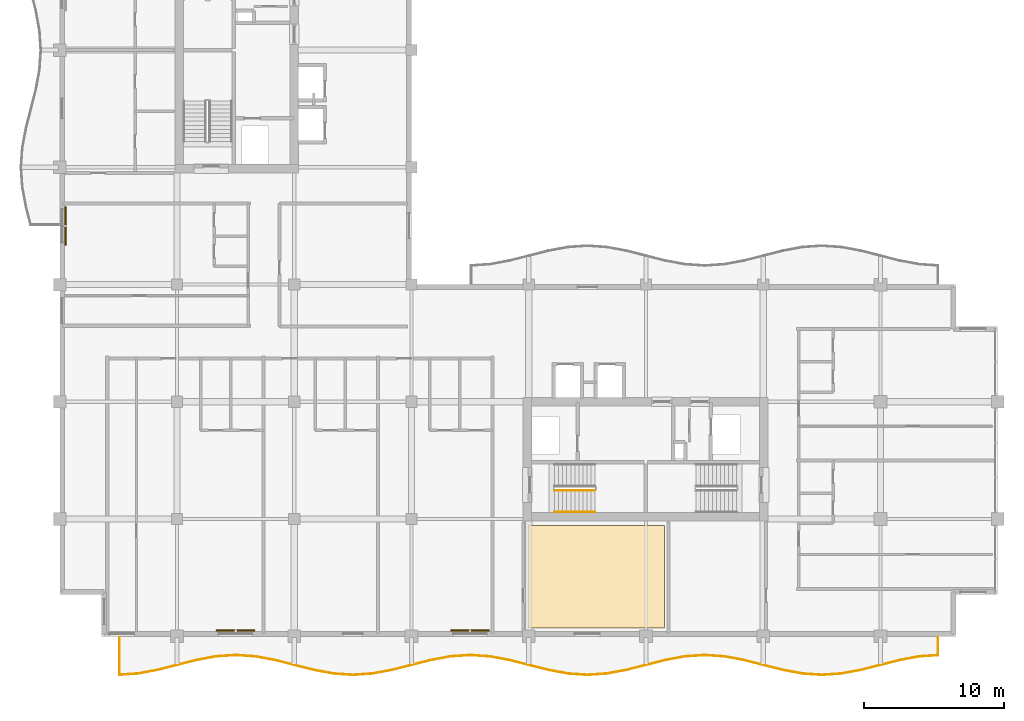
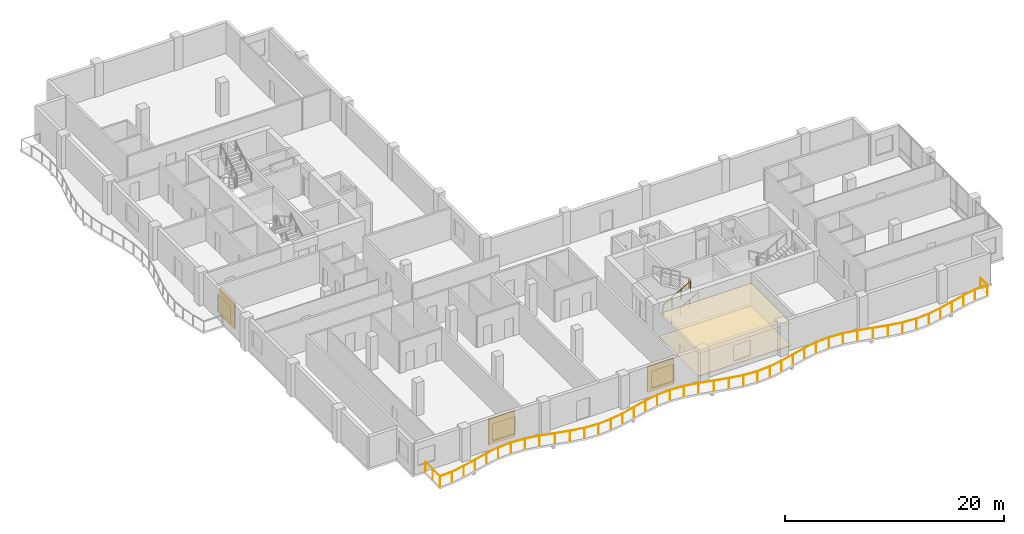
# One storey, part 13 of 16: 3 railings, 3 shading devices, 2 coverings.
"""IFC4 building model written with IfcOpenShell, lengths in metres."""

import ifcopenshell
import ifcopenshell.guid

model = None  # the IFC model being written
_history = None  # IfcOwnerHistory: only IFC2X3 demands one
_inside = {}  # id of a spatial element -> (the spatial element, [elements in it])
_under = {}  # id of a project, library or spatial element -> (it, [spatial elements below it])
_declared = {}  # id of a project -> (the project, [libraries it declares])
_typed = {}  # id of a type object -> (the type object, [elements of that type])
_made_of = {}  # id of a material, layer set ... -> (it, [elements and type objects made of it])


def new_model(schema):
    """Start an empty IFC model of exactly this schema.

    Asked for "IFC4X3", IfcOpenShell would pick the latest addendum, in which some entities
    have other attributes; the version numbers below select the first issue.
    IFC2X3 requires an IfcOwnerHistory on every rooted entity: one is made here for all.
    """
    global model, _history
    if schema == "IFC4X3":
        model = ifcopenshell.file(schema_version=(4, 3, 0, 0))
    else:
        model = ifcopenshell.file(schema=schema)
    _inside.clear()
    _under.clear()
    _declared.clear()
    _typed.clear()
    _made_of.clear()
    _history = None
    if model.schema == "IFC2X3":
        org = make("IfcOrganization", Name="unknown")
        user = make(
            "IfcPersonAndOrganization",
            ThePerson=make("IfcPerson", FamilyName="unknown"),
            TheOrganization=org,
        )
        app = make(
            "IfcApplication",
            ApplicationDeveloper=org,
            Version="unknown",
            ApplicationFullName="unknown",
            ApplicationIdentifier="unknown",
        )
        _history = make(
            "IfcOwnerHistory",
            OwningUser=user,
            OwningApplication=app,
            ChangeAction="ADDED",
            CreationDate=0,
        )
    return model


def make(cls, **values):
    """One entity of the class cls with the attributes given. An attribute that is None is left unset."""
    return model.create_entity(
        cls, **{name: value for name, value in values.items() if value is not None}
    )


def rooted(cls, **values):
    """An entity with a GlobalId (a new one), such as an element, a storey or a relation."""
    return make(cls, GlobalId=ifcopenshell.guid.new(), OwnerHistory=_history, **values)


def si_unit(unit_type, name, prefix=None):
    """IfcSIUnit, for example si_unit("LENGTHUNIT", "METRE", prefix="MILLI")."""
    return make("IfcSIUnit", UnitType=unit_type, Prefix=prefix, Name=name)


def assignment(units):
    """IfcUnitAssignment: the units of a project."""
    return None if units is None else make("IfcUnitAssignment", Units=units)


def point(xyz):
    """IfcCartesianPoint."""
    return None if xyz is None else make("IfcCartesianPoint", Coordinates=xyz)


def direction(xyz):
    """IfcDirection."""
    return None if xyz is None else make("IfcDirection", DirectionRatios=xyz)


def frame(location, z_axis=None, x_axis=None):
    """IfcAxis2Placement3D, a coordinate frame: its origin and axes. An axis left out is left unset."""
    return make(
        "IfcAxis2Placement3D",
        Location=point(location),
        Axis=direction(z_axis),
        RefDirection=direction(x_axis),
    )


def frame_2d(location, x_axis=None):
    """IfcAxis2Placement2D, a coordinate frame in the plane: its origin and x axis."""
    return make(
        "IfcAxis2Placement2D", Location=point(location), RefDirection=direction(x_axis)
    )


def origin():
    """The frame at (0, 0, 0) with its axes left unset."""
    return frame((0.0, 0.0, 0.0))


def origin_2d():
    """The frame at (0, 0) in the plane with its x axis left unset."""
    return frame_2d((0.0, 0.0))


def place(relative_to, where):
    """IfcLocalPlacement: puts the frame where relative to a parent placement (None: the world)."""
    return make(
        "IfcLocalPlacement", PlacementRelTo=relative_to, RelativePlacement=where
    )


def context(
    kind, dimensions, precision=None, world=None, true_north=None, identifier=None
):
    """IfcGeometricRepresentationContext, for example the 3D "Model" context."""
    return make(
        "IfcGeometricRepresentationContext",
        ContextIdentifier=identifier,
        ContextType=kind,
        CoordinateSpaceDimension=dimensions,
        Precision=precision,
        WorldCoordinateSystem=world,
        TrueNorth=true_north,
    )


def subcontext(parent, identifier, kind, view, scale=None):
    """IfcGeometricRepresentationSubContext, for example "Body" below "Model"."""
    return make(
        "IfcGeometricRepresentationSubContext",
        ContextIdentifier=identifier,
        ContextType=kind,
        ParentContext=parent,
        TargetScale=scale,
        TargetView=view,
    )


def project(units=None, contexts=None):
    """IfcProject with its units and contexts."""
    return rooted(
        "IfcProject",
        Name="project",
        RepresentationContexts=contexts,
        UnitsInContext=assignment(units),
    )


def spatial(cls, under=None, at=None, **own):
    """A site, building, storey or space (cls), placed at a placement, below another one or the project."""
    s = rooted(cls, ObjectPlacement=at, **own)
    if under is not None:
        _under.setdefault(under.id(), (under, []))[1].append(s)
    return s


def polyline(points):
    """IfcPolyline through the points."""
    return make("IfcPolyline", Points=[point(p) for p in points])


def profile(cls, at=None, kind="AREA", **sizes):
    """A parametric profile (cls). Its sizes go by their IFC names, for example OverallWidth=200.0."""
    return make(cls, ProfileType=kind, Position=at, **sizes)


def rectangle(**sizes):
    """IfcRectangleProfileDef."""
    return profile("IfcRectangleProfileDef", **sizes)


def circle(**sizes):
    """IfcCircleProfileDef."""
    return profile("IfcCircleProfileDef", **sizes)


def outline(outer, holes=None, kind="AREA"):
    """IfcArbitraryClosedProfileDef: a profile drawn as a closed curve; with holes, ...WithVoids."""
    if holes is None:
        return make("IfcArbitraryClosedProfileDef", ProfileType=kind, OuterCurve=outer)
    return make(
        "IfcArbitraryProfileDefWithVoids",
        ProfileType=kind,
        OuterCurve=outer,
        InnerCurves=holes,
    )


def extrude(swept, where, along, depth):
    """IfcExtrudedAreaSolid: the profile swept, set in the frame where, extruded along a direction by depth."""
    return make(
        "IfcExtrudedAreaSolid",
        SweptArea=swept,
        Position=where,
        ExtrudedDirection=direction(along),
        Depth=depth,
    )


def shape(context_of_items, identifier, shape_type, items):
    """IfcShapeRepresentation: the items that make up one representation, for example the "Body"."""
    return make(
        "IfcShapeRepresentation",
        ContextOfItems=context_of_items,
        RepresentationIdentifier=identifier,
        RepresentationType=shape_type,
        Items=items,
    )


def material(Name=None, Category=None):
    """IfcMaterial."""
    return make("IfcMaterial", Name=Name, Category=Category)


def layer(
    of_material, thickness, ventilated=None, Name=None, Category=None, Priority=None
):
    """IfcMaterialLayer: one layer of a wall or slab, of a material (None: an air gap)."""
    return make(
        "IfcMaterialLayer",
        Material=of_material,
        LayerThickness=thickness,
        IsVentilated=ventilated,
        Name=Name,
        Category=Category,
        Priority=Priority,
    )


def layer_set(layers, Name=None):
    """IfcMaterialLayerSet."""
    return make("IfcMaterialLayerSet", MaterialLayers=layers, LayerSetName=Name)


def made_of(thing, what):
    """Note that an element or type object is made of a material, layer set ...; save() writes the relation."""
    if what is not None:
        _made_of.setdefault(what.id(), (what, []))[1].append(thing)
    return thing


def type_object(cls, material=None, **own):
    """A type object (cls), such as IfcWallType, which elements share."""
    return made_of(rooted(cls, **own), material)


def element(
    cls,
    number,
    at=None,
    inside=None,
    cuts=None,
    type_object=None,
    material=None,
    context=None,
    identifier="Body",
    shape_type=None,
    held_by="IfcProductDefinitionShape",
    body=None,
    shapes=None,
    **own,
):
    """One element of the class cls, such as IfcWall. Its Tag is "e" and its number.

    at: its placement. inside: the storey or other place that contains it. cuts: it is an
    opening in that element (IfcRelVoidsElement). A single representation is given by context,
    identifier, shape_type and body (its items); several are given by shapes. held_by: the class
    of the entity that holds the representations. save() writes the other relations.
    """
    e = rooted(cls, Tag="e%d" % number, ObjectPlacement=at, **own)
    if body is not None:
        shapes = [shape(context, identifier, shape_type, body)]
    if shapes is not None:
        e.Representation = make(held_by, Representations=shapes)
    if inside is not None:
        _inside.setdefault(inside.id(), (inside, []))[1].append(e)
    if cuts is not None:
        rooted(
            "IfcRelVoidsElement", RelatingBuildingElement=cuts, RelatedOpeningElement=e
        )
    if type_object is not None:
        _typed.setdefault(type_object.id(), (type_object, []))[1].append(e)
    return made_of(e, material)


def aggregate(whole, parts):
    """IfcRelAggregates: a whole, such as a stair, and the parts it consists of."""
    return rooted("IfcRelAggregates", RelatingObject=whole, RelatedObjects=parts)


def save(model, path):
    """Write the relations noted so far, then the file.

    IfcRelAggregates (storeys below a building ...), IfcRelContainedInSpatialStructure (elements
    in a storey), IfcRelDefinesByType, IfcRelAssociatesMaterial and IfcRelDeclares: one each for
    every whole, place, type object, material and project.
    """
    for whole, parts in _under.values():
        aggregate(whole, parts)
    for where, things in _inside.values():
        rooted(
            "IfcRelContainedInSpatialStructure",
            RelatedElements=things,
            RelatingStructure=where,
        )
    for kind, things in _typed.values():
        rooted("IfcRelDefinesByType", RelatedObjects=things, RelatingType=kind)
    for what, things in _made_of.values():
        rooted("IfcRelAssociatesMaterial", RelatedObjects=things, RelatingMaterial=what)
    for by, libraries in _declared.values():
        rooted("IfcRelDeclares", RelatingContext=by, RelatedDefinitions=libraries)
    model.write(path)


model = new_model("IFC4")

# Units and contexts
model_context = context("Model", 3, precision=1e-05, world=origin(), true_north=direction((0.0, 1.0)))
body_context = subcontext(model_context, "Body", "Model", "MODEL_VIEW")
ifc_project = project(units=[si_unit("LENGTHUNIT", "METRE"), si_unit("AREAUNIT", "SQUARE_METRE"), si_unit("VOLUMEUNIT", "CUBIC_METRE"), si_unit("PLANEANGLEUNIT", "RADIAN"), si_unit("MASSUNIT", "GRAM", prefix="KILO")], contexts=[model_context])

# Site, building, storey
site_placement = place(None, origin())
site = spatial("IfcSite", under=ifc_project, at=site_placement, CompositionType="ELEMENT")
building_placement = place(site_placement, origin())
building = spatial("IfcBuilding", under=site, at=building_placement, Name="Koriwani Terraces Tower", CompositionType="ELEMENT")
storey_placement = place(building_placement, frame((0.0, 0.0, 245.300048828125)))
storey = spatial("IfcBuildingStorey", under=building, at=storey_placement, Name="L60", CompositionType="ELEMENT", Elevation=245.300048828125)

# Coverings
ifc_material_1 = material(Name="Fire-Rated Acoustic Gypsum Partition", Category="masonry")
ifc_layer_1 = layer(ifc_material_1, 0.02490234375, Name="Fire-Rated Acoustic Gypsum Partition")
ifc_layer_set_1 = layer_set([ifc_layer_1], Name="Fire-Rated Acoustic Gypsum Partition")
covering_type_1 = type_object("IfcCoveringType", Name="CEILING_ACOUSTIC_GYPSUM", PredefinedType="CEILING", material=ifc_layer_set_1)
covering_1_placement = place(storey_placement, frame((0.0, 0.0, 2.52490234375)))
element("IfcCovering", 1, at=covering_1_placement, inside=storey, type_object=covering_type_1, Name="L60 Suspended Acoustic Gypsum Ceiling", PredefinedType="CEILING", context=body_context, shape_type="SweptSolid", body=[
    extrude(outline(polyline([(41.949951171875, 9.0), (41.949951171875, 16.35009765625), (51.72998046875, 16.35009765625), (51.72998046875, 9.0), (41.949951171875, 9.0)])), origin(), (0.0, 0.0, 1.0), 0.025146484375),
])
ifc_material_2 = material(Name="Polished Andean Slate Flooring", Category="masonry")
ifc_layer_2 = layer(ifc_material_2, 0.030029296875, Name="Polished Andean Slate Flooring")
ifc_layer_set_2 = layer_set([ifc_layer_2], Name="Polished Andean Slate Flooring")
covering_type_2 = type_object("IfcCoveringType", Name="FLOORING_ANDEAN_STONE", PredefinedType="FLOORING", material=ifc_layer_set_2)
covering_2_placement = place(storey_placement, origin())
element("IfcCovering", 2, at=covering_2_placement, inside=storey, type_object=covering_type_2, Name="L60 Polished Andean Slate Floor Finish", PredefinedType="FLOORING", context=body_context, shape_type="SweptSolid", body=[
    extrude(outline(polyline([(41.949951171875, 9.0), (41.949951171875, 16.35009765625), (51.72998046875, 16.35009765625), (51.72998046875, 9.0), (41.949951171875, 9.0)])), origin(), (0.0, 0.0, 1.0), 0.030029296875),
])

# Railings
ifc_material_3 = material(Name="Steel ASTM A572 Grade 50", Category="steel")
railing_type_1 = type_object("IfcRailingType", Name="GUARD_BALUSTRADE_1150", PredefinedType="BALUSTRADE", material=ifc_material_3)
railing_1_placement = place(storey_placement, frame((12.679931640625, 8.320068359375, 0.0)))
element("IfcRailing", 3, at=railing_1_placement, inside=storey, type_object=railing_type_1, Name="L60 Balcony Perimeter Safety Balustrade (S)", PredefinedType="BALUSTRADE", context=body_context, shape_type="SweptSolid", body=[
    extrude(circle(Radius=0.02392578125, at=origin_2d()), frame((0.0, 0.0, 1.1259765625), z_axis=(0.0, -1.0, 0.0), x_axis=(1.0, 0.0, 0.0)), (0.0, 0.0, 1.0), 2.6845703125),
    extrude(circle(Radius=0.02392578125, at=origin_2d()), frame((0.0, -2.6845703125, 1.1259765625), z_axis=(0.997694577512, 0.06786405531, 0.0), x_axis=(-0.06786405531, 0.997694577512, 0.0)), (0.0, 0.0, 1.0), 1.31298828125),
    extrude(circle(Radius=0.02392578125, at=origin_2d()), frame((1.31005859375, -2.595458984375, 1.1259765625), z_axis=(0.98320420208, 0.182508895706, 0.0), x_axis=(-0.182508895706, 0.98320420208, 0.0)), (0.0, 0.0, 1.0), 1.41650390625),
    extrude(circle(Radius=0.02392578125, at=origin_2d()), frame((2.702880859375, -2.3369140625, 1.1259765625), z_axis=(0.969326714928, 0.245775750895, 0.0), x_axis=(-0.245775750895, 0.969326714928, 0.0)), (0.0, 0.0, 1.0), 2.888671875),
    extrude(circle(Radius=0.02392578125, at=origin_2d()), frame((5.5029296875, -1.626953125, 1.1259765625), z_axis=(0.983233329212, 0.182351913416, 0.0), x_axis=(-0.182351913416, 0.983233329212, 0.0)), (0.0, 0.0, 1.0), 1.43115234375),
    extrude(circle(Radius=0.02392578125, at=origin_2d()), frame((6.91015625, -1.365966796875, 1.1259765625), z_axis=(0.997704165633, 0.067722949425, 0.0), x_axis=(-0.067722949425, 0.997704165633, 0.0)), (0.0, 0.0, 1.0), 1.4130859375),
    extrude(circle(Radius=0.02392578125, at=origin_2d()), frame((8.320068359375, -1.270263671875, 1.1259765625), z_axis=(0.997704165633, -0.067722949425, 0.0), x_axis=(0.067722949425, 0.997704165633, 0.0)), (0.0, 0.0, 1.0), 1.4130859375),
    extrude(circle(Radius=0.02392578125, at=origin_2d()), frame((9.72998046875, -1.365966796875, 1.1259765625), z_axis=(0.983233329212, -0.182351913416, 0.0), x_axis=(0.182351913416, 0.983233329212, 0.0)), (0.0, 0.0, 1.0), 1.43115234375),
    extrude(circle(Radius=0.02392578125, at=origin_2d()), frame((11.13720703125, -1.626953125, 1.1259765625), z_axis=(0.969326714928, -0.245775750895, 0.0), x_axis=(0.245775750895, 0.969326714928, 0.0)), (0.0, 0.0, 1.0), 2.888671875),
    extrude(circle(Radius=0.02392578125, at=origin_2d()), frame((13.937255859375, -2.3369140625, 1.1259765625), z_axis=(0.98320420208, -0.182508895706, 0.0), x_axis=(0.182508895706, 0.98320420208, 0.0)), (0.0, 0.0, 1.0), 1.41650390625),
    extrude(circle(Radius=0.02392578125, at=origin_2d()), frame((15.330078125, -2.595458984375, 1.1259765625), z_axis=(0.997697457915, -0.067821696155, 0.0), x_axis=(0.067821696155, 0.997697457915, 0.0)), (0.0, 0.0, 1.0), 1.39306640625),
    extrude(circle(Radius=0.02392578125, at=origin_2d()), frame((16.719970703125, -2.68994140625, 1.1259765625), z_axis=(0.997698263815, 0.067809839848, 0.0), x_axis=(-0.067809839848, 0.997698263815, 0.0)), (0.0, 0.0, 1.0), 1.393310546875),
    extrude(circle(Radius=0.02392578125, at=origin_2d()), frame((18.110107421875, -2.595458984375, 1.1259765625), z_axis=(0.98320420208, 0.182508895706, 0.0), x_axis=(-0.182508895706, 0.98320420208, 0.0)), (0.0, 0.0, 1.0), 1.41650390625),
    extrude(circle(Radius=0.02392578125, at=origin_2d()), frame((19.5029296875, -2.3369140625, 1.1259765625), z_axis=(0.969326714928, 0.245775750895, 0.0), x_axis=(-0.245775750895, 0.969326714928, 0.0)), (0.0, 0.0, 1.0), 2.888671875),
    extrude(circle(Radius=0.02392578125, at=origin_2d()), frame((22.302978515625, -1.626953125, 1.1259765625), z_axis=(0.983227655562, 0.182382502828, 0.0), x_axis=(-0.182382502828, 0.983227655562, 0.0)), (0.0, 0.0, 1.0), 1.430908203125),
    extrude(circle(Radius=0.02392578125, at=origin_2d()), frame((23.7099609375, -1.365966796875, 1.1259765625), z_axis=(0.997704957786, 0.067711278299, 0.0), x_axis=(-0.067711278299, 0.997704957786, 0.0)), (0.0, 0.0, 1.0), 1.413330078125),
    extrude(circle(Radius=0.02392578125, at=origin_2d()), frame((25.1201171875, -1.270263671875, 1.1259765625), z_axis=(0.997704165633, -0.067722949425, 0.0), x_axis=(0.067722949425, 0.997704165633, 0.0)), (0.0, 0.0, 1.0), 1.4130859375),
    extrude(circle(Radius=0.02392578125, at=origin_2d()), frame((26.530029296875, -1.365966796875, 1.1259765625), z_axis=(0.983233329212, -0.182351913416, 0.0), x_axis=(0.182351913416, 0.983233329212, 0.0)), (0.0, 0.0, 1.0), 1.43115234375),
    extrude(circle(Radius=0.02392578125, at=origin_2d()), frame((27.937255859375, -1.626953125, 1.1259765625), z_axis=(0.969326714928, -0.245775750895, 0.0), x_axis=(0.245775750895, 0.969326714928, 0.0)), (0.0, 0.0, 1.0), 2.888671875),
    extrude(circle(Radius=0.02392578125, at=origin_2d()), frame((30.7373046875, -2.3369140625, 1.1259765625), z_axis=(0.98320420208, -0.182508895706, 0.0), x_axis=(0.182508895706, 0.98320420208, 0.0)), (0.0, 0.0, 1.0), 1.41650390625),
    extrude(circle(Radius=0.02392578125, at=origin_2d()), frame((32.130126953125, -2.595458984375, 1.1259765625), z_axis=(0.997697457915, -0.067821696155, 0.0), x_axis=(0.067821696155, 0.997697457915, 0.0)), (0.0, 0.0, 1.0), 1.39306640625),
    extrude(circle(Radius=0.02392578125, at=origin_2d()), frame((33.52001953125, -2.68994140625, 1.1259765625), z_axis=(0.997698263815, 0.067809839848, 0.0), x_axis=(-0.067809839848, 0.997698263815, 0.0)), (0.0, 0.0, 1.0), 1.393310546875),
    extrude(circle(Radius=0.02392578125, at=origin_2d()), frame((34.91015625, -2.595458984375, 1.1259765625), z_axis=(0.98320420208, 0.182508895706, 0.0), x_axis=(-0.182508895706, 0.98320420208, 0.0)), (0.0, 0.0, 1.0), 1.41650390625),
    extrude(circle(Radius=0.02392578125, at=origin_2d()), frame((36.302978515625, -2.3369140625, 1.1259765625), z_axis=(0.969326714928, 0.245775750895, 0.0), x_axis=(-0.245775750895, 0.969326714928, 0.0)), (0.0, 0.0, 1.0), 2.888671875),
    extrude(circle(Radius=0.02392578125, at=origin_2d()), frame((39.10302734375, -1.626953125, 1.1259765625), z_axis=(0.983227655562, 0.182382502828, 0.0), x_axis=(-0.182382502828, 0.983227655562, 0.0)), (0.0, 0.0, 1.0), 1.430908203125),
    extrude(circle(Radius=0.02392578125, at=origin_2d()), frame((40.510009765625, -1.365966796875, 1.1259765625), z_axis=(0.997704957786, 0.067711278299, 0.0), x_axis=(-0.067711278299, 0.997704957786, 0.0)), (0.0, 0.0, 1.0), 1.413330078125),
    extrude(circle(Radius=0.02392578125, at=origin_2d()), frame((41.920166015625, -1.270263671875, 1.1259765625), z_axis=(0.997704165633, -0.067722949425, 0.0), x_axis=(0.067722949425, 0.997704165633, 0.0)), (0.0, 0.0, 1.0), 1.4130859375),
    extrude(circle(Radius=0.02392578125, at=origin_2d()), frame((43.330078125, -1.365966796875, 1.1259765625), z_axis=(0.983227655562, -0.182382502828, 0.0), x_axis=(0.182382502828, 0.983227655562, 0.0)), (0.0, 0.0, 1.0), 1.430908203125),
    extrude(circle(Radius=0.02392578125, at=origin_2d()), frame((44.737060546875, -1.626953125, 1.1259765625), z_axis=(0.969331819617, -0.245755617389, 0.0), x_axis=(0.245755617389, 0.969331819617, 0.0)), (0.0, 0.0, 1.0), 2.888916015625),
    extrude(circle(Radius=0.02392578125, at=origin_2d()), frame((47.537353515625, -2.3369140625, 1.1259765625), z_axis=(0.98320420208, -0.182508895706, 0.0), x_axis=(0.182508895706, 0.98320420208, 0.0)), (0.0, 0.0, 1.0), 1.41650390625),
    extrude(circle(Radius=0.02392578125, at=origin_2d()), frame((48.93017578125, -2.595458984375, 1.1259765625), z_axis=(0.997697457915, -0.067821696155, 0.0), x_axis=(0.067821696155, 0.997697457915, 0.0)), (0.0, 0.0, 1.0), 1.39306640625),
    extrude(circle(Radius=0.02392578125, at=origin_2d()), frame((50.320068359375, -2.68994140625, 1.1259765625), z_axis=(0.997697457915, 0.067821696155, 0.0), x_axis=(-0.067821696155, 0.997697457915, 0.0)), (0.0, 0.0, 1.0), 1.39306640625),
    extrude(circle(Radius=0.02392578125, at=origin_2d()), frame((51.7099609375, -2.595458984375, 1.1259765625), z_axis=(0.98320420208, 0.182508895706, 0.0), x_axis=(-0.182508895706, 0.98320420208, 0.0)), (0.0, 0.0, 1.0), 1.41650390625),
    extrude(circle(Radius=0.02392578125, at=origin_2d()), frame((53.102783203125, -2.3369140625, 1.1259765625), z_axis=(0.969331819617, 0.245755617389, 0.0), x_axis=(-0.245755617389, 0.969331819617, 0.0)), (0.0, 0.0, 1.0), 2.888916015625),
    extrude(circle(Radius=0.02392578125, at=origin_2d()), frame((55.903076171875, -1.626953125, 1.1259765625), z_axis=(0.983227655562, 0.182382502828, 0.0), x_axis=(-0.182382502828, 0.983227655562, 0.0)), (0.0, 0.0, 1.0), 1.430908203125),
    extrude(circle(Radius=0.02392578125, at=origin_2d()), frame((57.31005859375, -1.365966796875, 1.1259765625), z_axis=(0.997676908726, 0.068123313151, 0.0), x_axis=(-0.068123313151, 0.997676908726, 0.0)), (0.0, 0.0, 1.0), 1.333251953125),
    extrude(circle(Radius=0.02392578125, at=origin_2d()), frame((58.64013671875, -1.275146484375, 1.1259765625), z_axis=(0.0, 1.0, 0.0), x_axis=(-1.0, 0.0, 0.0)), (0.0, 0.0, 1.0), 1.275146484375),
    extrude(circle(Radius=0.02099609375, at=origin_2d()), origin(), (0.0, 0.0, 1.0), 1.101806640625),
    extrude(circle(Radius=0.02099609375, at=origin_2d()), frame((0.0, -1.34228515625, 0.0)), (0.0, 0.0, 1.0), 1.101806640625),
    extrude(circle(Radius=0.02099609375, at=origin_2d()), frame((0.0, -2.6845703125, 0.0)), (0.0, 0.0, 1.0), 1.101806640625),
    extrude(circle(Radius=0.02099609375, at=origin_2d()), frame((1.31005859375, -2.595458984375, 0.0)), (0.0, 0.0, 1.0), 1.101806640625),
    extrude(circle(Radius=0.02099609375, at=origin_2d()), frame((2.702880859375, -2.3369140625, 0.0)), (0.0, 0.0, 1.0), 1.101806640625),
    extrude(circle(Radius=0.02099609375, at=origin_2d()), frame((4.10302734375, -1.98193359375, 0.0)), (0.0, 0.0, 1.0), 1.101806640625),
    extrude(circle(Radius=0.02099609375, at=origin_2d()), frame((5.5029296875, -1.626953125, 0.0)), (0.0, 0.0, 1.0), 1.101806640625),
    extrude(circle(Radius=0.02099609375, at=origin_2d()), frame((6.91015625, -1.365966796875, 0.0)), (0.0, 0.0, 1.0), 1.101806640625),
    extrude(circle(Radius=0.02099609375, at=origin_2d()), frame((8.320068359375, -1.270263671875, 0.0)), (0.0, 0.0, 1.0), 1.101806640625),
    extrude(circle(Radius=0.02099609375, at=origin_2d()), frame((9.72998046875, -1.365966796875, 0.0)), (0.0, 0.0, 1.0), 1.101806640625),
    extrude(circle(Radius=0.02099609375, at=origin_2d()), frame((11.13720703125, -1.626953125, 0.0)), (0.0, 0.0, 1.0), 1.101806640625),
    extrude(circle(Radius=0.02099609375, at=origin_2d()), frame((12.537109375, -1.98193359375, 0.0)), (0.0, 0.0, 1.0), 1.101806640625),
    extrude(circle(Radius=0.02099609375, at=origin_2d()), frame((13.937255859375, -2.3369140625, 0.0)), (0.0, 0.0, 1.0), 1.101806640625),
    extrude(circle(Radius=0.02099609375, at=origin_2d()), frame((15.330078125, -2.595458984375, 0.0)), (0.0, 0.0, 1.0), 1.101806640625),
    extrude(circle(Radius=0.02099609375, at=origin_2d()), frame((16.719970703125, -2.68994140625, 0.0)), (0.0, 0.0, 1.0), 1.101806640625),
    extrude(circle(Radius=0.02099609375, at=origin_2d()), frame((18.110107421875, -2.595458984375, 0.0)), (0.0, 0.0, 1.0), 1.101806640625),
    extrude(circle(Radius=0.02099609375, at=origin_2d()), frame((19.5029296875, -2.3369140625, 0.0)), (0.0, 0.0, 1.0), 1.101806640625),
    extrude(circle(Radius=0.02099609375, at=origin_2d()), frame((20.90283203125, -1.98193359375, 0.0)), (0.0, 0.0, 1.0), 1.101806640625),
    extrude(circle(Radius=0.02099609375, at=origin_2d()), frame((22.302978515625, -1.626953125, 0.0)), (0.0, 0.0, 1.0), 1.101806640625),
    extrude(circle(Radius=0.02099609375, at=origin_2d()), frame((23.7099609375, -1.365966796875, 0.0)), (0.0, 0.0, 1.0), 1.101806640625),
    extrude(circle(Radius=0.02099609375, at=origin_2d()), frame((25.1201171875, -1.270263671875, 0.0)), (0.0, 0.0, 1.0), 1.101806640625),
    extrude(circle(Radius=0.02099609375, at=origin_2d()), frame((26.530029296875, -1.365966796875, 0.0)), (0.0, 0.0, 1.0), 1.101806640625),
    extrude(circle(Radius=0.02099609375, at=origin_2d()), frame((27.937255859375, -1.626953125, 0.0)), (0.0, 0.0, 1.0), 1.101806640625),
    extrude(circle(Radius=0.02099609375, at=origin_2d()), frame((29.33740234375, -1.98193359375, 0.0)), (0.0, 0.0, 1.0), 1.101806640625),
    extrude(circle(Radius=0.02099609375, at=origin_2d()), frame((30.7373046875, -2.3369140625, 0.0)), (0.0, 0.0, 1.0), 1.101806640625),
    extrude(circle(Radius=0.02099609375, at=origin_2d()), frame((32.130126953125, -2.595458984375, 0.0)), (0.0, 0.0, 1.0), 1.101806640625),
    extrude(circle(Radius=0.02099609375, at=origin_2d()), frame((33.52001953125, -2.68994140625, 0.0)), (0.0, 0.0, 1.0), 1.101806640625),
    extrude(circle(Radius=0.02099609375, at=origin_2d()), frame((34.91015625, -2.595458984375, 0.0)), (0.0, 0.0, 1.0), 1.101806640625),
    extrude(circle(Radius=0.02099609375, at=origin_2d()), frame((36.302978515625, -2.3369140625, 0.0)), (0.0, 0.0, 1.0), 1.101806640625),
    extrude(circle(Radius=0.02099609375, at=origin_2d()), frame((37.703125, -1.98193359375, 0.0)), (0.0, 0.0, 1.0), 1.101806640625),
    extrude(circle(Radius=0.02099609375, at=origin_2d()), frame((39.10302734375, -1.626953125, 0.0)), (0.0, 0.0, 1.0), 1.101806640625),
    extrude(circle(Radius=0.02099609375, at=origin_2d()), frame((40.510009765625, -1.365966796875, 0.0)), (0.0, 0.0, 1.0), 1.101806640625),
    extrude(circle(Radius=0.02099609375, at=origin_2d()), frame((41.920166015625, -1.270263671875, 0.0)), (0.0, 0.0, 1.0), 1.101806640625),
    extrude(circle(Radius=0.02099609375, at=origin_2d()), frame((43.330078125, -1.365966796875, 0.0)), (0.0, 0.0, 1.0), 1.101806640625),
    extrude(circle(Radius=0.02099609375, at=origin_2d()), frame((44.737060546875, -1.626953125, 0.0)), (0.0, 0.0, 1.0), 1.101806640625),
    extrude(circle(Radius=0.02099609375, at=origin_2d()), frame((46.13720703125, -1.98193359375, 0.0)), (0.0, 0.0, 1.0), 1.101806640625),
    extrude(circle(Radius=0.02099609375, at=origin_2d()), frame((47.537353515625, -2.3369140625, 0.0)), (0.0, 0.0, 1.0), 1.101806640625),
    extrude(circle(Radius=0.02099609375, at=origin_2d()), frame((48.93017578125, -2.595458984375, 0.0)), (0.0, 0.0, 1.0), 1.101806640625),
    extrude(circle(Radius=0.02099609375, at=origin_2d()), frame((50.320068359375, -2.68994140625, 0.0)), (0.0, 0.0, 1.0), 1.101806640625),
    extrude(circle(Radius=0.02099609375, at=origin_2d()), frame((51.7099609375, -2.595458984375, 0.0)), (0.0, 0.0, 1.0), 1.101806640625),
    extrude(circle(Radius=0.02099609375, at=origin_2d()), frame((53.102783203125, -2.3369140625, 0.0)), (0.0, 0.0, 1.0), 1.101806640625),
    extrude(circle(Radius=0.02099609375, at=origin_2d()), frame((54.5029296875, -1.98193359375, 0.0)), (0.0, 0.0, 1.0), 1.101806640625),
    extrude(circle(Radius=0.02099609375, at=origin_2d()), frame((55.903076171875, -1.626953125, 0.0)), (0.0, 0.0, 1.0), 1.101806640625),
    extrude(circle(Radius=0.02099609375, at=origin_2d()), frame((57.31005859375, -1.365966796875, 0.0)), (0.0, 0.0, 1.0), 1.101806640625),
    extrude(circle(Radius=0.02099609375, at=origin_2d()), frame((58.64013671875, -1.275146484375, 0.0)), (0.0, 0.0, 1.0), 1.101806640625),
    extrude(circle(Radius=0.02099609375, at=origin_2d()), frame((58.64013671875, 0.0, 0.0)), (0.0, 0.0, 1.0), 1.101806640625),
])
railing_type_2 = type_object("IfcRailingType", Name="GUARD_STAIR_WELL_1120", PredefinedType="GUARDRAIL", material=ifc_material_3)
railing_2_placement = place(storey_placement, frame((43.85009765625, 18.85009765625, 0.168212890625)))
element("IfcRailing", 4, at=railing_2_placement, inside=storey, type_object=railing_type_2, Name="L60 ST-E1 stair guard 1", PredefinedType="GUARDRAIL", context=body_context, shape_type="SweptSolid", body=[
    extrude(circle(Radius=0.02392578125, at=origin_2d()), frame((0.0, 0.0, 1.1259765625), z_axis=(0.86507038078, 0.0, 0.501650512107), x_axis=(0.0, 1.0, 0.0)), (0.0, 0.0, 1.0), 3.352294921875),
    extrude(circle(Radius=0.02099609375, at=origin_2d()), origin(), (0.0, 0.0, 1.0), 1.101806640625),
    extrude(circle(Radius=0.02099609375, at=origin_2d()), frame((0.966552734375, 0.0, 0.560546875)), (0.0, 0.0, 1.0), 1.101806640625),
    extrude(circle(Radius=0.02099609375, at=origin_2d()), frame((1.933349609375, 0.0, 1.12109375)), (0.0, 0.0, 1.0), 1.101806640625),
    extrude(circle(Radius=0.02099609375, at=origin_2d()), frame((2.89990234375, 0.0, 1.681640625)), (0.0, 0.0, 1.0), 1.101806640625),
])
railing_type_3 = type_object("IfcRailingType", Name="HANDRAIL_STAIR_920", PredefinedType="HANDRAIL", material=ifc_material_3)
railing_3_placement = place(storey_placement, frame((43.85009765625, 17.300048828125, 0.168212890625)))
element("IfcRailing", 5, at=railing_3_placement, inside=storey, type_object=railing_type_3, Name="L60 ST-E1 stair handrail 1", PredefinedType="HANDRAIL", context=body_context, shape_type="SweptSolid", body=[
    extrude(circle(Radius=0.02392578125, at=origin_2d()), frame((0.0, 0.0, 0.8759765625), z_axis=(0.86507038078, 0.0, 0.501650512107), x_axis=(0.0, 1.0, 0.0)), (0.0, 0.0, 1.0), 3.352294921875),
    extrude(circle(Radius=0.02099609375, at=origin_2d()), origin(), (0.0, 0.0, 1.0), 0.851806640625),
    extrude(circle(Radius=0.02099609375, at=origin_2d()), frame((0.966552734375, 0.0, 0.560546875)), (0.0, 0.0, 1.0), 0.851806640625),
    extrude(circle(Radius=0.02099609375, at=origin_2d()), frame((1.933349609375, 0.0, 1.12109375)), (0.0, 0.0, 1.0), 0.851806640625),
    extrude(circle(Radius=0.02099609375, at=origin_2d()), frame((2.89990234375, 0.0, 1.681640625)), (0.0, 0.0, 1.0), 0.851806640625),
])

# Shading devices
ifc_material_4 = material(Name="Extruded Terracotta Clay", Category="masonry")
ifc_layer_3 = layer(ifc_material_4, 0.1201171875, Name="Extruded Terracotta Clay")
ifc_layer_set_3 = layer_set([ifc_layer_3], Name="Extruded Terracotta Clay")
shading_device_type = type_object("IfcShadingDeviceType", Name="TERRACOTTA_BAGUETTE_SCREEN_2800", PredefinedType="USERDEFINED", material=ifc_layer_set_3)
for number, where, z_axis, x_axis, name in (
    (6, (8.804931640625, 37.800048828125, 0.284912109375), (0.0, 0.0, 1.0), (0.0, 1.0, 0.0), "L60 Extruded Terracotta Baguette Screen (W-9)"),
    (7, (21.0, 8.804931640625, 0.284912109375), (0.0, 0.0, 1.0), (-1.0, 0.0, 0.0), "L60 Extruded Terracotta Baguette Screen (S-3)"),
    (8, (37.800048828125, 8.804931640625, 0.284912109375), (0.0, 0.0, 1.0), (-1.0, 0.0, 0.0), "L60 Extruded Terracotta Baguette Screen (S-9)"),
):
    element("IfcShadingDevice", number, at=place(storey_placement, frame(where, z_axis=z_axis, x_axis=x_axis)), inside=storey, type_object=shading_device_type, Name=name, ObjectType="BAGUETTE", PredefinedType="USERDEFINED", context=body_context, shape_type="SweptSolid", body=[
        extrude(rectangle(XDim=2.760009765625, YDim=0.1201171875, at=origin_2d()), origin(), (0.0, 0.0, 1.0), 2.89990234375),
    ])

save(model, "model.ifc")
